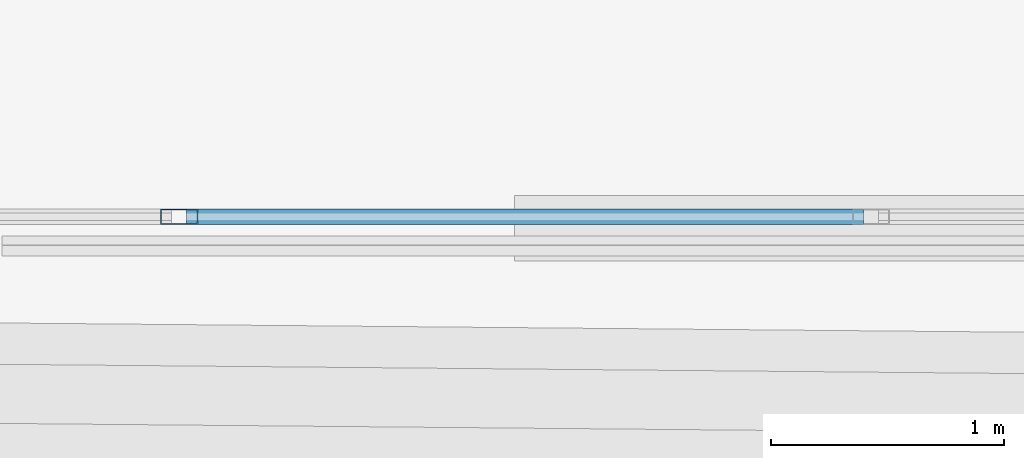
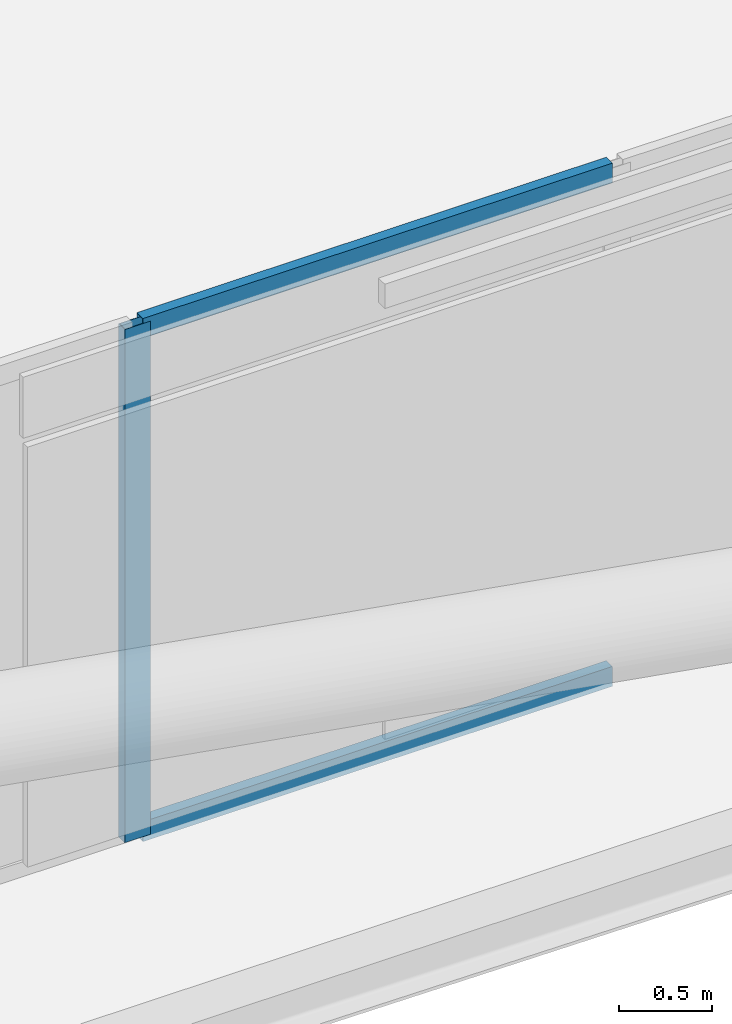
# One storey, part 21 of 50: 3 members, 1 element without a shape of its own.
"""IFC4 building model written with IfcOpenShell, lengths in metres."""

from ifc_helpers import new_model, si_unit, direction, frame, origin, origin_2d, place, context, subcontext, project, spatial, hollow_rectangle, extrude, material, layer, layer_set, material_profile, profile_set, type_object, element, aggregate, save


model = new_model("IFC4")

# Units and contexts
model_context = context("Model", 3, precision=1e-05, world=origin(), true_north=direction((0.0, 1.0)))
body_context = subcontext(model_context, "Body", "Model", "MODEL_VIEW")
ifc_project = project(units=[si_unit("LENGTHUNIT", "METRE"), si_unit("AREAUNIT", "SQUARE_METRE"), si_unit("VOLUMEUNIT", "CUBIC_METRE"), si_unit("PLANEANGLEUNIT", "RADIAN"), si_unit("MASSUNIT", "GRAM", prefix="KILO")], contexts=[model_context])

# Site, building, storey
site_placement = place(None, origin())
site = spatial("IfcSite", under=ifc_project, at=site_placement, CompositionType="ELEMENT")
building_placement = place(site_placement, origin())
building = spatial("IfcBuilding", under=site, at=building_placement, Name="Caelvoria Tower", CompositionType="ELEMENT")
storey_placement = place(building_placement, frame((0.0, 0.0, 71.199951171875)))
storey = spatial("IfcBuildingStorey", under=building, at=storey_placement, Name="L18", CompositionType="ELEMENT", Elevation=71.199951171875)

# Curtain wall, members
ifc_material_1 = material(Name="Anodised Bronze Aluminium and Low-E Glass", Category="aluminium")
ifc_layer = layer(ifc_material_1, 0.18505859375, Name="Anodised Bronze Aluminium and Low-E Glass")
ifc_layer_set = layer_set([ifc_layer], Name="CW System 2 Lower Tower Bronze Unitised Facade - Anodised Bronze Aluminium and Low-E Glass")
curtain_wall_type = type_object("IfcCurtainWallType", Name="CW System 2 Lower Tower Bronze Unitised Facade", PredefinedType="NOTDEFINED", material=ifc_layer_set)
curtain_wall_placement = place(storey_placement, origin())
curtain_wall = element("IfcCurtainWall", 1, at=curtain_wall_placement, inside=storey, type_object=curtain_wall_type, Name="CW-02 Curtain Wall L18-E0", PredefinedType="NOTDEFINED")
ifc_material_2 = material(Name="Anodised Bronze Architectural Aluminium", Category="aluminium")
ifc_material_profile_1 = material_profile(ifc_material_2, hollow_rectangle(XDim=0.06494140625, YDim=0.159912109375, WallThickness=0.00390625, at=origin_2d()), Name="Anodised Bronze Architectural Aluminium")
ifc_profile_set_1 = profile_set([ifc_material_profile_1], Name="CW_MULL_65X160 - Anodised Bronze Architectural Aluminium")
member_type_1 = type_object("IfcMemberType", Name="Curtain Wall Mullion 65x160 Bronze Aluminium", PredefinedType="MULLION", material=ifc_profile_set_1)
member_1_placement = place(storey_placement, frame((57.8857421875, 10.179931640625, 0.0), z_axis=(0.0, 0.0, 1.0), x_axis=(0.0, 1.0, 0.0)))
member_1 = element("IfcMember", 2, at=member_1_placement, type_object=member_type_1, Name="CW-02 mullion 12", PredefinedType="MULLION", context=body_context, shape_type="SweptSolid", body=[
    extrude(hollow_rectangle(XDim=0.06494140625, YDim=0.159912109375, WallThickness=0.00390625, at=origin_2d()), origin(), (0.0, 0.0, 1.0), 3.360107421875),
])
ifc_material_profile_2 = material_profile(ifc_material_2, hollow_rectangle(XDim=0.06494140625, YDim=0.1298828125, WallThickness=0.00341796875, at=origin_2d()), Name="Anodised Bronze Architectural Aluminium")
ifc_profile_set_2 = profile_set([ifc_material_profile_2], Name="CW_TRAN_65X130 - Anodised Bronze Architectural Aluminium")
member_type_2 = type_object("IfcMemberType", Name="Curtain Wall Transom 65x130 Bronze Aluminium", PredefinedType="USERDEFINED", material=ifc_profile_set_2)
member_2_placement = place(storey_placement, frame((57.918212890625, 10.179931640625, 0.032470703125), z_axis=(1.0, 0.0, 0.0), x_axis=(0.0, 1.0, 0.0)))
member_2 = element("IfcMember", 3, at=member_2_placement, type_object=member_type_2, Name="CW-02 transom 12.1", ObjectType="TRANSOM", PredefinedType="USERDEFINED", context=body_context, shape_type="SweptSolid", body=[
    extrude(hollow_rectangle(XDim=0.06494140625, YDim=0.1298828125, WallThickness=0.00341796875, at=origin_2d()), origin(), (0.0, 0.0, 1.0), 2.906494140625),
])
member_3_placement = place(storey_placement, frame((57.918212890625, 10.179931640625, 3.32763671875), z_axis=(1.0, 0.0, 0.0), x_axis=(0.0, 1.0, 0.0)))
member_3 = element("IfcMember", 4, at=member_3_placement, type_object=member_type_2, Name="CW-02 transom 12.2", ObjectType="TRANSOM", PredefinedType="USERDEFINED", context=body_context, shape_type="SweptSolid", body=[
    extrude(hollow_rectangle(XDim=0.06494140625, YDim=0.1298828125, WallThickness=0.00341796875, at=origin_2d()), origin(), (0.0, 0.0, 1.0), 2.906494140625),
])
aggregate(curtain_wall, [member_1, member_2, member_3])

save(model, "model.ifc")
